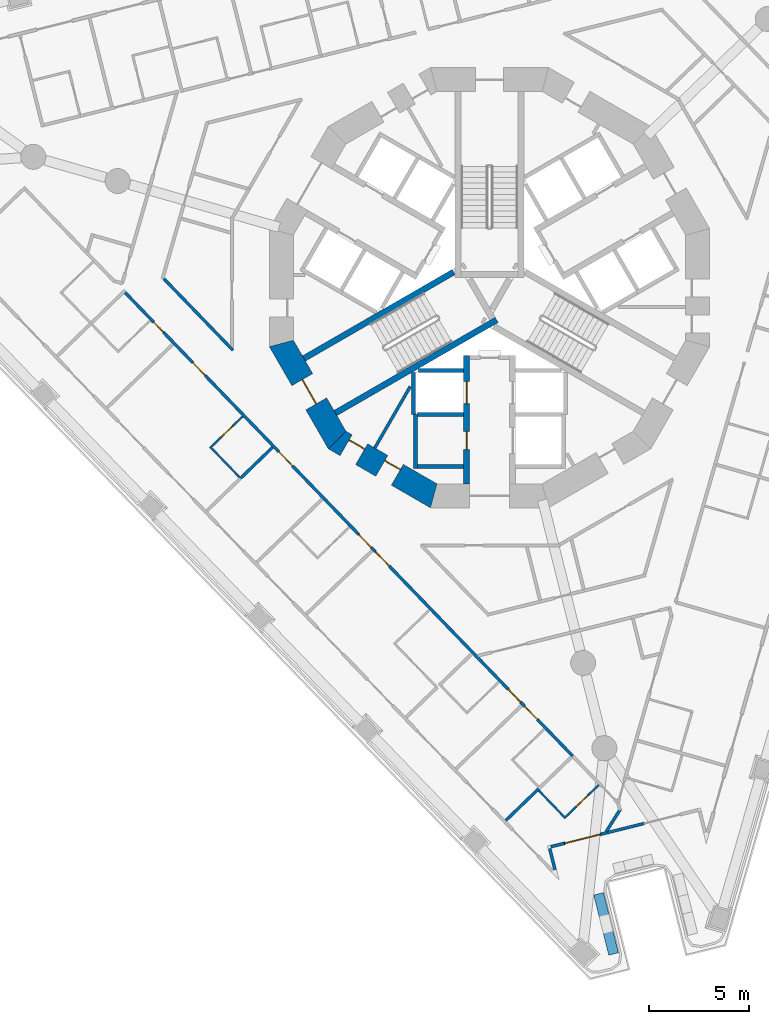
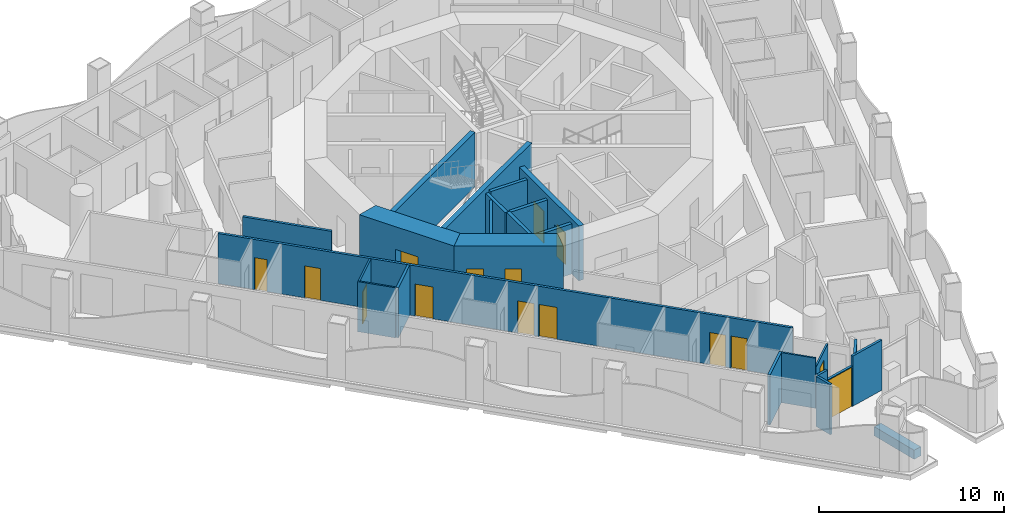
# One storey, part 3 of 20: 25 walls, 15 doors, 15 openings.
"""IFC4 building model written with IfcOpenShell, lengths in metres."""

from ifc_helpers import new_model, si_unit, direction, frame, frame_2d, origin, place, context, subcontext, project, spatial, polyline, rectangle, outline, extrude, material, layer, layer_set, type_object, element, fill, save


model = new_model("IFC4")

# Units and contexts
model_context = context("Model", 3, precision=1e-05, world=origin(), true_north=direction((0.0, 1.0)))
body_context = subcontext(model_context, "Body", "Model", "MODEL_VIEW")
ifc_project = project(units=[si_unit("LENGTHUNIT", "METRE"), si_unit("AREAUNIT", "SQUARE_METRE"), si_unit("VOLUMEUNIT", "CUBIC_METRE"), si_unit("PLANEANGLEUNIT", "RADIAN"), si_unit("MASSUNIT", "GRAM", prefix="KILO")], contexts=[model_context])

# Site, building, storey
site_placement = place(None, origin())
site = spatial("IfcSite", under=ifc_project, at=site_placement, CompositionType="ELEMENT")
building_placement = place(site_placement, origin())
building = spatial("IfcBuilding", under=site, at=building_placement, Name="Trine Commons Tower", CompositionType="ELEMENT")
storey_placement = place(building_placement, frame((0.0, 0.0, 112.5)))
storey = spatial("IfcBuildingStorey", under=building, at=storey_placement, Name="L28", CompositionType="ELEMENT", Elevation=112.5)

# Walls
ifc_material_1 = material(Name="Plasterboard partition on steel studs", Category="steel")
ifc_layer_1 = layer(ifc_material_1, 0.14990234375)
ifc_layer_set_1 = layer_set([ifc_layer_1], Name="Plasterboard partition on steel studs")
wall_type_1 = type_object("IfcWallType", Name="Core room partition 150 mm, EI 60", PredefinedType="PARTITIONING", material=ifc_layer_set_1)
wall_1_placement = place(storey_placement, frame((74.260986328125, 54.48388671875, 0.0), z_axis=(0.0, 0.0, 1.0), x_axis=(0.500062019353, 0.865989593933, 0.0)))
element("IfcWall", 1, at=wall_1_placement, inside=storey, type_object=wall_type_1, Name="Core room partition L28", PredefinedType="PARTITIONING", context=body_context, shape_type="SweptSolid", body=[
    extrude(rectangle(XDim=3.54736328125, YDim=0.14990234375, at=frame_2d((1.773681640625, 0.0))), origin(), (0.0, 0.0, 1.0), 3.300048828125),
])
ifc_material_2 = material(Name="Aluminium-framed insulated wall panel", Category="aluminium")
ifc_layer_2 = layer(ifc_material_2, 0.14990234375)
ifc_layer_set_2 = layer_set([ifc_layer_2], Name="Aluminium-framed insulated wall panel")
wall_type_2 = type_object("IfcWallType", Name="Glazed frame wall 150, EI 60", PredefinedType="SOLIDWALL", material=ifc_layer_set_2)
wall_2_placement = place(storey_placement, frame((87.71337890625, 35.697021484375, 0.0), z_axis=(0.0, 0.0, 1.0), x_axis=(-0.970298957625, -0.241908934998, 0.0)))
element("IfcWall", 2, at=wall_2_placement, inside=storey, type_object=wall_type_2, Name="Glazed frame wall P3.3", PredefinedType="SOLIDWALL", context=body_context, shape_type="SweptSolid", body=[
    extrude(outline(polyline([(0.0, -0.074951171875), (2.199951171875, -0.074951171875), (2.199951171875, 0.074951171875), (0.0, 0.074951171875), (0.0, -0.074951171875)])), origin(), (0.0, 0.0, 1.0), 3.300048828125),
])

# Wall, opening, door
wall_3_placement = place(storey_placement, frame((85.57861328125, 35.164794921875, 0.0), z_axis=(0.0, 0.0, 1.0), x_axis=(-0.970285945114, -0.241961122321, 0.0)))
wall_3 = element("IfcWall", 3, at=wall_3_placement, inside=storey, type_object=wall_type_2, Name="Glazed frame wall P3.4", PredefinedType="SOLIDWALL", context=body_context, shape_type="SweptSolid", body=[
    extrude(outline(polyline([(0.0, -0.074951171875), (1.89990234375, -0.074951171875), (1.89990234375, 0.074951171875), (0.0, 0.074951171875), (0.0, -0.074951171875)])), origin(), (0.0, 0.0, 1.0), 2.64990234375),
])
opening_1_placement = place(wall_3_placement, frame((0.050048828125, 0.0, 0.0)))
opening_1 = element("IfcOpeningElement", 4, at=opening_1_placement, cuts=wall_3, Name="Opening BD-3P3-02", PredefinedType="OPENING", context=body_context, shape_type="SweptSolid", body=[
    extrude(rectangle(XDim=1.800048828125, YDim=2.60009765625, at=frame_2d((0.89990234375, 1.300048828125))), frame((0.0, 0.0849609375, 0.0), z_axis=(0.0, -1.0, 0.0), x_axis=(1.0, 0.0, 0.0)), (0.0, 0.0, 1.0), 0.169921875),
])
ifc_material_3 = material(Name="Anodised aluminium frame with double glazing", Category="aluminium")
door_type_1 = type_object("IfcDoorType", Name="Sliding loggia door 1800x2600", OperationType="SLIDING_TO_LEFT", PredefinedType="DOOR", material=ifc_material_3)
door_1_placement = place(opening_1_placement, origin())
door_1 = element("IfcDoor", 5, at=door_1_placement, inside=storey, type_object=door_type_1, Name="Loggia door P3 2", OperationType="SLIDING_TO_LEFT", OverallHeight=2.60009765625, OverallWidth=1.800048828125, PredefinedType="DOOR", context=body_context, shape_type="SweptSolid", body=[
    extrude(rectangle(XDim=1.800048828125, YDim=2.60009765625, at=frame_2d((0.89990234375, 1.300048828125))), frame((0.0, 0.02490234375, 0.0), z_axis=(0.0, -1.0, 0.0), x_axis=(1.0, 0.0, 0.0)), (0.0, 0.0, 1.0), 0.050048828125),
])
fill(opening_1, door_1)

# Walls
wall_4_placement = place(storey_placement, frame((83.735107421875, 34.705078125, 0.0), z_axis=(0.0, 0.0, 1.0), x_axis=(-0.970339682992, -0.241745526559, 0.0)))
element("IfcWall", 6, at=wall_4_placement, inside=storey, type_object=wall_type_2, Name="Glazed frame wall P3.5", PredefinedType="SOLIDWALL", context=body_context, shape_type="SweptSolid", body=[
    extrude(outline(polyline([(0.68994140625, 0.074951171875), (0.0, 0.074951171875), (0.0, -0.074951171875), (0.68994140625, -0.074951171875), (0.68994140625, 0.074951171875)])), origin(), (0.0, 0.0, 1.0), 3.300048828125),
])
wall_5_placement = place(storey_placement, frame((82.984375, 34.553955078125, 0.0), z_axis=(0.0, 0.0, 1.0), x_axis=(0.241980315181, -0.970281158771, 0.0)))
element("IfcWall", 7, at=wall_5_placement, inside=storey, type_object=wall_type_2, Name="Glazed frame wall R11", PredefinedType="SOLIDWALL", context=body_context, shape_type="SweptSolid", body=[
    extrude(outline(polyline([(0.110107421875, 0.074951171875), (0.110107421875, -0.074951171875), (1.19580078125, -0.074951171875), (1.19580078125, 0.074951171875), (0.110107421875, 0.074951171875)])), origin(), (0.0, 0.0, 1.0), 3.300048828125),
])
ifc_material_4 = material(Name="Planter trough, precast concrete C40/50", Category="concrete")
ifc_layer_3 = layer(ifc_material_4, 0.5)
ifc_layer_set_3 = layer_set([ifc_layer_3], Name="Planter trough, precast concrete C40/50")
wall_type_3 = type_object("IfcWallType", Name="Planter trough 500x600", PredefinedType="PARAPET", material=ifc_layer_set_3)
wall_6_placement = place(storey_placement, frame((85.456787109375, 32.181640625, 0.0), z_axis=(0.0, 0.0, 1.0), x_axis=(0.2419425832, -0.970290568044, 0.0)))
element("IfcWall", 8, at=wall_6_placement, inside=storey, type_object=wall_type_3, Name="Planter 9", PredefinedType="PARAPET", context=body_context, shape_type="SweptSolid", body=[
    extrude(rectangle(XDim=3.099853515625, YDim=0.5, at=frame_2d((1.5498046875, 0.0))), origin(), (0.0, 0.0, 1.0), 0.60009765625),
])

# Wall, opening, door
ifc_material_5 = material(Name="Concrete C70/85", Category="concrete")
ifc_layer_4 = layer(ifc_material_5, 1.199951171875)
ifc_layer_set_4 = layer_set([ifc_layer_4], Name="Concrete C70/85")
wall_type_4 = type_object("IfcWallType", Name="RC shear wall 1200 mm, C70/85", PredefinedType="SHEAR", material=ifc_layer_set_4)
wall_7_placement = place(storey_placement, frame((69.508056640625, 59.849609375, 0.0), z_axis=(0.0, 0.0, 1.0), x_axis=(0.499979111662, -0.866037463336, 0.0)))
wall_7 = element("IfcWall", 9, at=wall_7_placement, inside=storey, type_object=wall_type_4, Name="Core wall CWC-08 L28", PredefinedType="SHEAR", context=body_context, shape_type="SweptSolid", body=[
    extrude(outline(polyline([(0.0, -0.60009765625), (5.901123046875, -0.60009765625), (5.57958984375, 0.60009765625), (0.321533203125, 0.60009765625), (0.0, -0.60009765625)])), origin(), (0.0, 0.0, 1.0), 3.60009765625),
])
opening_2_placement = place(wall_7_placement, frame((2.25048828125, 0.0, 0.0)))
opening_2 = element("IfcOpeningElement", 10, at=opening_2_placement, cuts=wall_7, Name="Opening K07.02", PredefinedType="OPENING", context=body_context, shape_type="SweptSolid", body=[
    extrude(rectangle(XDim=1.39990234375, YDim=2.10009765625, at=frame_2d((0.699951171875, 1.050048828125))), frame((0.0, 0.60986328125, 0.0), z_axis=(0.0, -1.0, 0.0), x_axis=(1.0, 0.0, 0.0)), (0.0, 0.0, 1.0), 1.219970703125),
])
ifc_material_6 = material(Name="Steel door leaves, fire-rated", Category="steel")
door_type_2 = type_object("IfcDoorType", Name="Stair door, double leaf 1400 x 2100, FD90", OperationType="DOUBLE_DOOR_SINGLE_SWING", PredefinedType="DOOR", material=ifc_material_6)
door_2_placement = place(opening_2_placement, origin())
door_2 = element("IfcDoor", 11, at=door_2_placement, inside=storey, type_object=door_type_2, Name="Stair door to Exit stair ST2A L28", OperationType="DOUBLE_DOOR_SINGLE_SWING", OverallHeight=2.10009765625, OverallWidth=1.39990234375, PredefinedType="DOOR", context=body_context, shape_type="SweptSolid", body=[
    extrude(rectangle(XDim=1.39990234375, YDim=2.10009765625, at=frame_2d((0.699951171875, 1.050048828125))), frame((0.0, 0.02490234375, 0.0), z_axis=(0.0, -1.0, 0.0), x_axis=(1.0, 0.0, 0.0)), (0.0, 0.0, 1.0), 0.050048828125),
])
fill(opening_2, door_2)

# Wall, openings, doors
wall_8_placement = place(storey_placement, frame((72.239013671875, 54.95849609375, 0.0), z_axis=(0.0, 0.0, 1.0), x_axis=(0.866037463336, -0.499979111662, 0.0)))
wall_8 = element("IfcWall", 12, at=wall_8_placement, inside=storey, type_object=wall_type_4, Name="Core wall CWC-09 L28", PredefinedType="SHEAR", context=body_context, shape_type="SweptSolid", body=[
    extrude(outline(polyline([(0.0, -0.60009765625), (5.901123046875, -0.60009765625), (5.57958984375, 0.60009765625), (0.321533203125, 0.60009765625), (0.0, -0.60009765625)])), origin(), (0.0, 0.0, 1.0), 3.60009765625),
])
opening_3_placement = place(wall_8_placement, frame((0.676513671875, 0.0, 0.0)))
opening_3 = element("IfcOpeningElement", 13, at=opening_3_placement, cuts=wall_8, Name="Opening K07.15", PredefinedType="OPENING", context=body_context, shape_type="SweptSolid", body=[
    extrude(rectangle(XDim=0.89990234375, YDim=2.10009765625, at=frame_2d((0.449951171875, 1.050048828125))), frame((0.0, 0.60986328125, 0.0), z_axis=(0.0, -1.0, 0.0), x_axis=(1.0, 0.0, 0.0)), (0.0, 0.0, 1.0), 1.219970703125),
])
opening_4_placement = place(wall_8_placement, frame((2.738525390625, 0.0, 0.0)))
opening_4 = element("IfcOpeningElement", 14, at=opening_4_placement, cuts=wall_8, Name="Opening K07.16", PredefinedType="OPENING", context=body_context, shape_type="SweptSolid", body=[
    extrude(rectangle(XDim=0.89990234375, YDim=2.10009765625, at=frame_2d((0.449951171875, 1.050048828125))), frame((0.0, 0.60986328125, 0.0), z_axis=(0.0, -1.0, 0.0), x_axis=(1.0, 0.0, 0.0)), (0.0, 0.0, 1.0), 1.219970703125),
])
ifc_material_7 = material(Name="Steel door leaf, fire-rated", Category="steel")
door_type_3 = type_object("IfcDoorType", Name="Core room door, single leaf 900 x 2100, FD30S", OperationType="SINGLE_SWING_LEFT", PredefinedType="DOOR", material=ifc_material_7)
door_3_placement = place(opening_3_placement, origin())
door_3 = element("IfcDoor", 15, at=door_3_placement, inside=storey, type_object=door_type_3, Name="Door to Cleaner's store L28", OperationType="SINGLE_SWING_LEFT", OverallHeight=2.10009765625, OverallWidth=0.89990234375, PredefinedType="DOOR", context=body_context, shape_type="SweptSolid", body=[
    extrude(rectangle(XDim=0.89990234375, YDim=2.10009765625, at=frame_2d((0.449951171875, 1.050048828125))), frame((0.0, 0.3251953125, 0.0), z_axis=(0.0, -1.0, 0.0), x_axis=(1.0, 0.0, 0.0)), (0.0, 0.0, 1.0), 0.050048828125),
])
fill(opening_3, door_3)
door_4_placement = place(opening_4_placement, origin())
door_4 = element("IfcDoor", 16, at=door_4_placement, inside=storey, type_object=door_type_3, Name="Door to Accessible WC L28", OperationType="SINGLE_SWING_RIGHT", OverallHeight=2.10009765625, OverallWidth=0.89990234375, PredefinedType="DOOR", context=body_context, shape_type="SweptSolid", body=[
    extrude(rectangle(XDim=0.89990234375, YDim=2.10009765625, at=frame_2d((0.449951171875, 1.050048828125))), frame((0.0, 0.3251953125, 0.0), z_axis=(0.0, -1.0, 0.0), x_axis=(1.0, 0.0, 0.0)), (0.0, 0.0, 1.0), 0.050048828125),
])
fill(opening_4, door_4)

ifc_layer_5 = layer(ifc_material_5, 0.300048828125)
ifc_layer_set_5 = layer_set([ifc_layer_5], Name="Concrete C70/85")
wall_type_5 = type_object("IfcWallType", Name="RC shear wall 300 mm, C70/85", PredefinedType="SHEAR", material=ifc_layer_set_5)
wall_9_placement = place(storey_placement, frame((78.85009765625, 59.10009765625, 0.0), z_axis=(0.0, 0.0, 1.0), x_axis=(0.0, -1.0, 0.0)))
wall_9 = element("IfcWall", 17, at=wall_9_placement, inside=storey, type_object=wall_type_5, Name="Core cross wall SWA-03 L28", PredefinedType="SHEAR", context=body_context, shape_type="SweptSolid", body=[
    extrude(rectangle(XDim=6.412109375, YDim=0.300048828125, at=frame_2d((3.2060546875, 0.0))), origin(), (0.0, 0.0, 1.0), 3.60009765625),
])
opening_5_placement = place(wall_9_placement, frame((3.800048828125, 0.0, 0.0)))
opening_5 = element("IfcOpeningElement", 18, at=opening_5_placement, cuts=wall_9, Name="Opening K07.10", PredefinedType="OPENING", context=body_context, shape_type="SweptSolid", body=[
    extrude(rectangle(XDim=0.89990234375, YDim=2.10009765625, at=frame_2d((0.449951171875, 1.050048828125))), frame((0.0, 0.159912109375, 0.0), z_axis=(0.0, -1.0, 0.0), x_axis=(1.0, 0.0, 0.0)), (0.0, 0.0, 1.0), 0.320068359375),
])
opening_6_placement = place(wall_9_placement, frame((1.300048828125, 0.0, 0.0)))
opening_6 = element("IfcOpeningElement", 19, at=opening_6_placement, cuts=wall_9, Name="Opening LD10", PredefinedType="OPENING", context=body_context, shape_type="SweptSolid", body=[
    extrude(rectangle(XDim=1.10009765625, YDim=2.10009765625, at=frame_2d((0.550048828125, 1.050048828125))), frame((0.0, 0.159912109375, 0.0), z_axis=(0.0, -1.0, 0.0), x_axis=(1.0, 0.0, 0.0)), (0.0, 0.0, 1.0), 0.320068359375),
])
door_5_placement = place(opening_5_placement, frame((0.89990234375, 0.0, 0.0), z_axis=(0.0, 0.0, 1.0), x_axis=(-1.0, 0.0, 0.0)))
door_5 = element("IfcDoor", 20, at=door_5_placement, inside=storey, type_object=door_type_3, Name="Door to Pantry L28", OperationType="SINGLE_SWING_RIGHT", OverallHeight=2.10009765625, OverallWidth=0.89990234375, PredefinedType="DOOR", context=body_context, shape_type="SweptSolid", body=[
    extrude(rectangle(XDim=0.89990234375, YDim=2.10009765625, at=frame_2d((0.449951171875, 1.050048828125))), frame((0.0, 0.02490234375, 0.0), z_axis=(0.0, -1.0, 0.0), x_axis=(1.0, 0.0, 0.0)), (0.0, 0.0, 1.0), 0.050048828125),
])
fill(opening_5, door_5)
ifc_material_8 = material(Name="Stainless steel sliding door leaves", Category="steel")
door_type_4 = type_object("IfcDoorType", Name="Lift landing door, centre-opening sliding 1100 x 2100, FD90", OperationType="DOUBLE_DOOR_SLIDING", PredefinedType="DOOR", material=ifc_material_8)
door_6_placement = place(opening_6_placement, origin())
door_6 = element("IfcDoor", 21, at=door_6_placement, inside=storey, type_object=door_type_4, Name="Lift landing door FF2 L28", OperationType="DOUBLE_DOOR_SLIDING", OverallHeight=2.10009765625, OverallWidth=1.10009765625, PredefinedType="DOOR", context=body_context, shape_type="SweptSolid", body=[
    extrude(rectangle(XDim=1.10009765625, YDim=2.10009765625, at=frame_2d((0.550048828125, 1.050048828125))), frame((0.0, 0.02490234375, 0.0), z_axis=(0.0, -1.0, 0.0), x_axis=(1.0, 0.0, 0.0)), (0.0, 0.0, 1.0), 0.050048828125),
])
fill(opening_6, door_6)

# Walls
wall_10_placement = place(storey_placement, frame((78.199951171875, 63.280029296875, 0.0), z_axis=(0.0, 0.0, 1.0), x_axis=(-0.865965399159, -0.500103916661, 0.0)))
element("IfcWall", 22, at=wall_10_placement, inside=storey, type_object=wall_type_5, Name="Core cross wall SWA-07 L28", PredefinedType="SHEAR", context=body_context, shape_type="SweptSolid", body=[
    extrude(rectangle(XDim=8.642333984375, YDim=0.300048828125, at=frame_2d((4.3212890625, 0.0))), origin(), (0.0, 0.0, 1.0), 3.60009765625),
])
wall_11_placement = place(storey_placement, frame((80.35400390625, 60.885986328125, 0.0), z_axis=(0.0, 0.0, 1.0), x_axis=(-0.865986456211, -0.50006745311, 0.0)))
element("IfcWall", 23, at=wall_11_placement, inside=storey, type_object=wall_type_5, Name="Core cross wall SWA-14 L28", PredefinedType="SHEAR", context=body_context, shape_type="SweptSolid", body=[
    extrude(rectangle(XDim=9.310791015625, YDim=0.300048828125, at=frame_2d((4.6552734375, 0.0))), origin(), (0.0, 0.0, 1.0), 3.60009765625),
])
ifc_material_9 = material(Name="Fire-rated gypsum shaft wall system")
ifc_layer_6 = layer(ifc_material_9, 0.199951171875)
ifc_layer_set_6 = layer_set([ifc_layer_6], Name="Fire-rated gypsum shaft wall system")
wall_type_6 = type_object("IfcWallType", Name="Shaft wall 200 mm, EI 120", PredefinedType="PARTITIONING", material=ifc_layer_set_6)
wall_12_placement = place(storey_placement, frame((76.199951171875, 58.256103515625, 0.0), z_axis=(0.0, 0.0, 1.0), x_axis=(0.0, -1.0, 0.0)))
element("IfcWall", 24, at=wall_12_placement, inside=storey, type_object=wall_type_6, Name="Shaft wall L28", PredefinedType="PARTITIONING", context=body_context, shape_type="SweptSolid", body=[
    extrude(rectangle(XDim=2.106201171875, YDim=0.199951171875, at=frame_2d((1.05322265625, 0.0))), origin(), (0.0, 0.0, 1.0), 3.300048828125),
])
wall_13_placement = place(storey_placement, frame((76.300048828125, 56.14990234375, 0.0), z_axis=(0.0, 0.0, 1.0), x_axis=(0.0, -1.0, 0.0)))
element("IfcWall", 25, at=wall_13_placement, inside=storey, type_object=wall_type_6, Name="Shaft wall L28", PredefinedType="PARTITIONING", context=body_context, shape_type="SweptSolid", body=[
    extrude(rectangle(XDim=2.699951171875, YDim=0.199951171875, at=frame_2d((1.35009765625, 0.0))), origin(), (0.0, 0.0, 1.0), 3.300048828125),
])
for number, where, z_axis, x_axis, name in (
    (26, (78.699951171875, 53.550048828125, 0.0), (0.0, 0.0, 1.0), (-1.0, 0.0, 0.0), "Shaft wall L28"),
    (27, (78.699951171875, 56.14990234375, 0.0), (0.0, 0.0, 1.0), (-1.0, 0.0, 0.0), "Shaft wall L28"),
):
    element("IfcWall", number, at=place(storey_placement, frame(where, z_axis=z_axis, x_axis=x_axis)), inside=storey, type_object=wall_type_6, Name=name, PredefinedType="PARTITIONING", context=body_context, shape_type="SweptSolid", body=[
        extrude(rectangle(XDim=2.300048828125, YDim=0.199951171875, at=frame_2d((1.14990234375, 0.0))), origin(), (0.0, 0.0, 1.0), 3.300048828125),
    ])
wall_14_placement = place(storey_placement, frame((78.699951171875, 58.35009765625, 0.0), z_axis=(0.0, 0.0, 1.0), x_axis=(-1.0, 0.0, 0.0)))
element("IfcWall", 28, at=wall_14_placement, inside=storey, type_object=wall_type_6, Name="Shaft wall L28", PredefinedType="PARTITIONING", context=body_context, shape_type="SweptSolid", body=[
    extrude(rectangle(XDim=2.264892578125, YDim=0.199951171875, at=frame_2d((1.13232421875, 0.0))), origin(), (0.0, 0.0, 1.0), 3.300048828125),
])

# Wall, openings, doors
ifc_material_10 = material(Name="Gypsum plasterboard on steel stud", Category="steel")
ifc_layer_7 = layer(ifc_material_10, 0.14990234375)
ifc_layer_set_7 = layer_set([ifc_layer_7], Name="Gypsum plasterboard on steel stud")
wall_type_7 = type_object("IfcWallType", Name="Unit and corridor wall 150 mm, EI 60", PredefinedType="PARTITIONING", material=ifc_layer_set_7)
wall_15_placement = place(storey_placement, frame((61.772216796875, 62.257080078125, 0.0), z_axis=(0.0, 0.0, 1.0), x_axis=(0.694641026806, -0.719356548506, 0.0)))
wall_15 = element("IfcWall", 29, at=wall_15_placement, inside=storey, type_object=wall_type_7, Name="Partition 018", PredefinedType="PARTITIONING", context=body_context, shape_type="SweptSolid", body=[
    extrude(rectangle(XDim=32.22216796875, YDim=0.14990234375, at=frame_2d((16.111083984375, 0.0))), origin(), (0.0, 0.0, 1.0), 3.300048828125),
])
opening_7_placement = place(wall_15_placement, frame((28.784423828125, 0.0, 0.0)))
opening_7 = element("IfcOpeningElement", 30, at=opening_7_placement, cuts=wall_15, Name="Opening D-3C26", PredefinedType="OPENING", context=body_context, shape_type="SweptSolid", body=[
    extrude(rectangle(XDim=0.89990234375, YDim=2.10009765625, at=frame_2d((0.449951171875, 1.050048828125))), frame((0.0, 0.0849609375, 0.0), z_axis=(0.0, -1.0, 0.0), x_axis=(1.0, 0.0, 0.0)), (0.0, 0.0, 1.0), 0.169921875),
])
opening_8_placement = place(wall_15_placement, frame((27.58447265625, 0.0, 0.0)))
opening_8 = element("IfcOpeningElement", 31, at=opening_8_placement, cuts=wall_15, Name="Opening D-3C27", PredefinedType="OPENING", context=body_context, shape_type="SweptSolid", body=[
    extrude(rectangle(XDim=0.89990234375, YDim=2.10009765625, at=frame_2d((0.449951171875, 1.050048828125))), frame((0.0, 0.0849609375, 0.0), z_axis=(0.0, -1.0, 0.0), x_axis=(1.0, 0.0, 0.0)), (0.0, 0.0, 1.0), 0.169921875),
])
opening_9_placement = place(wall_15_placement, frame((18.019287109375, 0.0, 0.0)))
opening_9 = element("IfcOpeningElement", 32, at=opening_9_placement, cuts=wall_15, Name="Opening D-3C28", PredefinedType="OPENING", context=body_context, shape_type="SweptSolid", body=[
    extrude(rectangle(XDim=1.0, YDim=2.10009765625, at=frame_2d((0.5, 1.050048828125))), frame((0.0, 0.0849609375, 0.0), z_axis=(0.0, -1.0, 0.0), x_axis=(1.0, 0.0, 0.0)), (0.0, 0.0, 1.0), 0.169921875),
])
opening_10_placement = place(wall_15_placement, frame((16.819091796875, 0.0, 0.0)))
opening_10 = element("IfcOpeningElement", 33, at=opening_10_placement, cuts=wall_15, Name="Opening D-3C29", PredefinedType="OPENING", context=body_context, shape_type="SweptSolid", body=[
    extrude(rectangle(XDim=0.89990234375, YDim=2.10009765625, at=frame_2d((0.449951171875, 1.050048828125))), frame((0.0, 0.0849609375, 0.0), z_axis=(0.0, -1.0, 0.0), x_axis=(1.0, 0.0, 0.0)), (0.0, 0.0, 1.0), 0.169921875),
])
opening_11_placement = place(wall_15_placement, frame((11.05810546875, 0.0, 0.0)))
opening_11 = element("IfcOpeningElement", 34, at=opening_11_placement, cuts=wall_15, Name="Opening D-3C30", PredefinedType="OPENING", context=body_context, shape_type="SweptSolid", body=[
    extrude(rectangle(XDim=1.0, YDim=2.10009765625, at=frame_2d((0.5, 1.050048828125))), frame((0.0, 0.0849609375, 0.0), z_axis=(0.0, -1.0, 0.0), x_axis=(1.0, 0.0, 0.0)), (0.0, 0.0, 1.0), 0.169921875),
])
opening_12_placement = place(wall_15_placement, frame((4.864990234375, 0.0, 0.0)))
opening_12 = element("IfcOpeningElement", 35, at=opening_12_placement, cuts=wall_15, Name="Opening D-3C31", PredefinedType="OPENING", context=body_context, shape_type="SweptSolid", body=[
    extrude(rectangle(XDim=0.89990234375, YDim=2.10009765625, at=frame_2d((0.449951171875, 1.050048828125))), frame((0.0, 0.0849609375, 0.0), z_axis=(0.0, -1.0, 0.0), x_axis=(1.0, 0.0, 0.0)), (0.0, 0.0, 1.0), 0.169921875),
])
opening_13_placement = place(wall_15_placement, frame((2.056396484375, 0.0, 0.0)))
opening_13 = element("IfcOpeningElement", 36, at=opening_13_placement, cuts=wall_15, Name="Opening D-3C32", PredefinedType="OPENING", context=body_context, shape_type="SweptSolid", body=[
    extrude(rectangle(XDim=0.699951171875, YDim=2.10009765625, at=frame_2d((0.35009765625, 1.050048828125))), frame((0.0, 0.0849609375, 0.0), z_axis=(0.0, -1.0, 0.0), x_axis=(1.0, 0.0, 0.0)), (0.0, 0.0, 1.0), 0.169921875),
])
ifc_material_11 = material(Name="Timber fire door set", Category="wood")
door_type_5 = type_object("IfcDoorType", Name="Bedroom door 1000 x 2100, FD30S", OperationType="NOTDEFINED", PredefinedType="DOOR", material=ifc_material_11)
door_7_placement = place(opening_9_placement, frame((1.0, 0.0, 0.0), z_axis=(0.0, 0.0, 1.0), x_axis=(-1.0, 0.0, 0.0)))
door_7 = element("IfcDoor", 37, at=door_7_placement, inside=storey, type_object=door_type_5, Name="Door D-3C28", OperationType="SINGLE_SWING_LEFT", OverallHeight=2.10009765625, OverallWidth=1.0, PredefinedType="DOOR", context=body_context, shape_type="SweptSolid", body=[
    extrude(rectangle(XDim=1.0, YDim=2.10009765625, at=frame_2d((0.5, 1.050048828125))), frame((0.0, 0.02490234375, 0.0), z_axis=(0.0, -1.0, 0.0), x_axis=(1.0, 0.0, 0.0)), (0.0, 0.0, 1.0), 0.050048828125),
])
fill(opening_9, door_7)
door_type_6 = type_object("IfcDoorType", Name="Bedroom door 700 x 2100, FD30S", OperationType="NOTDEFINED", PredefinedType="DOOR", material=ifc_material_11)
door_8_placement = place(opening_13_placement, frame((0.699951171875, 0.0, 0.0), z_axis=(0.0, 0.0, 1.0), x_axis=(-1.0, 0.0, 0.0)))
door_8 = element("IfcDoor", 38, at=door_8_placement, inside=storey, type_object=door_type_6, Name="Door D-3C32", OperationType="SINGLE_SWING_RIGHT", OverallHeight=2.10009765625, OverallWidth=0.699951171875, PredefinedType="DOOR", context=body_context, shape_type="SweptSolid", body=[
    extrude(rectangle(XDim=0.699951171875, YDim=2.10009765625, at=frame_2d((0.35009765625, 1.050048828125))), frame((0.0, 0.02490234375, 0.0), z_axis=(0.0, -1.0, 0.0), x_axis=(1.0, 0.0, 0.0)), (0.0, 0.0, 1.0), 0.050048828125),
])
fill(opening_13, door_8)
door_type_7 = type_object("IfcDoorType", Name="Bedroom door 900 x 2100, FD30S", OperationType="NOTDEFINED", PredefinedType="DOOR", material=ifc_material_11)
door_9_placement = place(opening_7_placement, frame((0.89990234375, 0.0, 0.0), z_axis=(0.0, 0.0, 1.0), x_axis=(-1.0, 0.0, 0.0)))
door_9 = element("IfcDoor", 39, at=door_9_placement, inside=storey, type_object=door_type_7, Name="Door D-3C26", OperationType="SINGLE_SWING_LEFT", OverallHeight=2.10009765625, OverallWidth=0.89990234375, PredefinedType="DOOR", context=body_context, shape_type="SweptSolid", body=[
    extrude(rectangle(XDim=0.89990234375, YDim=2.10009765625, at=frame_2d((0.449951171875, 1.050048828125))), frame((0.0, 0.02490234375, 0.0), z_axis=(0.0, -1.0, 0.0), x_axis=(1.0, 0.0, 0.0)), (0.0, 0.0, 1.0), 0.050048828125),
])
fill(opening_7, door_9)
door_10_placement = place(opening_8_placement, frame((0.89990234375, 0.0, 0.0), z_axis=(0.0, 0.0, 1.0), x_axis=(-1.0, 0.0, 0.0)))
door_10 = element("IfcDoor", 40, at=door_10_placement, inside=storey, type_object=door_type_7, Name="Door D-3C27", OperationType="SINGLE_SWING_LEFT", OverallHeight=2.10009765625, OverallWidth=0.89990234375, PredefinedType="DOOR", context=body_context, shape_type="SweptSolid", body=[
    extrude(rectangle(XDim=0.89990234375, YDim=2.10009765625, at=frame_2d((0.449951171875, 1.050048828125))), frame((0.0, 0.02490234375, 0.0), z_axis=(0.0, -1.0, 0.0), x_axis=(1.0, 0.0, 0.0)), (0.0, 0.0, 1.0), 0.050048828125),
])
fill(opening_8, door_10)
door_11_placement = place(opening_10_placement, frame((0.89990234375, 0.0, 0.0), z_axis=(0.0, 0.0, 1.0), x_axis=(-1.0, 0.0, 0.0)))
door_11 = element("IfcDoor", 41, at=door_11_placement, inside=storey, type_object=door_type_7, Name="Door D-3C29", OperationType="SINGLE_SWING_LEFT", OverallHeight=2.10009765625, OverallWidth=0.89990234375, PredefinedType="DOOR", context=body_context, shape_type="SweptSolid", body=[
    extrude(rectangle(XDim=0.89990234375, YDim=2.10009765625, at=frame_2d((0.449951171875, 1.050048828125))), frame((0.0, 0.02490234375, 0.0), z_axis=(0.0, -1.0, 0.0), x_axis=(1.0, 0.0, 0.0)), (0.0, 0.0, 1.0), 0.050048828125),
])
fill(opening_10, door_11)
door_12_placement = place(opening_12_placement, frame((0.89990234375, 0.0, 0.0), z_axis=(0.0, 0.0, 1.0), x_axis=(-1.0, 0.0, 0.0)))
door_12 = element("IfcDoor", 42, at=door_12_placement, inside=storey, type_object=door_type_7, Name="Door D-3C31", OperationType="SINGLE_SWING_RIGHT", OverallHeight=2.10009765625, OverallWidth=0.89990234375, PredefinedType="DOOR", context=body_context, shape_type="SweptSolid", body=[
    extrude(rectangle(XDim=0.89990234375, YDim=2.10009765625, at=frame_2d((0.449951171875, 1.050048828125))), frame((0.0, 0.02490234375, 0.0), z_axis=(0.0, -1.0, 0.0), x_axis=(1.0, 0.0, 0.0)), (0.0, 0.0, 1.0), 0.050048828125),
])
fill(opening_12, door_12)
ifc_material_12 = material(Name="Painted timber", Category="wood")
door_type_8 = type_object("IfcDoorType", Name="Toilet door 1000 x 2100, NOT RATED", OperationType="NOTDEFINED", PredefinedType="DOOR", material=ifc_material_12)
door_13_placement = place(opening_11_placement, frame((1.0, 0.0, 0.0), z_axis=(0.0, 0.0, 1.0), x_axis=(-1.0, 0.0, 0.0)))
door_13 = element("IfcDoor", 43, at=door_13_placement, inside=storey, type_object=door_type_8, Name="Door D-3C30", OperationType="SINGLE_SWING_RIGHT", OverallHeight=2.10009765625, OverallWidth=1.0, PredefinedType="DOOR", context=body_context, shape_type="SweptSolid", body=[
    extrude(rectangle(XDim=1.0, YDim=2.10009765625, at=frame_2d((0.5, 1.050048828125))), frame((0.0, 0.02490234375, 0.0), z_axis=(0.0, -1.0, 0.0), x_axis=(1.0, 0.0, 0.0)), (0.0, 0.0, 1.0), 0.050048828125),
])
fill(opening_11, door_13)

# Walls
wall_16_placement = place(storey_placement, frame((63.710205078125, 62.948974609375, 0.0), z_axis=(0.0, 0.0, 1.0), x_axis=(0.694628677397, -0.719368473411, 0.0)))
element("IfcWall", 44, at=wall_16_placement, inside=storey, type_object=wall_type_7, Name="Partition 024", PredefinedType="PARTITIONING", context=body_context, shape_type="SweptSolid", body=[
    extrude(rectangle(XDim=4.9736328125, YDim=0.14990234375, at=frame_2d((2.48681640625, 0.0))), origin(), (0.0, 0.0, 1.0), 3.300048828125),
])
wall_17_placement = place(storey_placement, frame((67.54296875, 52.964111328125, 0.0), z_axis=(0.0, 0.0, 1.0), x_axis=(0.719159849229, 0.694844666998, 0.0)))
element("IfcWall", 45, at=wall_17_placement, inside=storey, type_object=wall_type_7, Name="Partition 039", PredefinedType="PARTITIONING", context=body_context, shape_type="SweptSolid", body=[
    extrude(rectangle(XDim=2.22900390625, YDim=0.14990234375, at=frame_2d((1.114501953125, 0.0))), origin(), (0.0, 0.0, 1.0), 3.300048828125),
])
wall_18_placement = place(storey_placement, frame((80.811767578125, 35.849853515625, 0.0), z_axis=(0.0, 0.0, 1.0), x_axis=(0.719587956046, 0.694401305812, 0.0)))
element("IfcWall", 46, at=wall_18_placement, inside=storey, type_object=wall_type_7, Name="Partition 071", PredefinedType="PARTITIONING", context=body_context, shape_type="SweptSolid", body=[
    extrude(rectangle(XDim=2.27783203125, YDim=0.14990234375, at=frame_2d((1.138916015625, 0.0))), origin(), (0.0, 0.0, 1.0), 3.300048828125),
])
wall_19_placement = place(storey_placement, frame((85.83447265625, 35.290771484375, 0.0), z_axis=(0.0, 0.0, 1.0), x_axis=(0.533700369754, 0.845673645873, 0.0)))
element("IfcWall", 47, at=wall_19_placement, inside=storey, type_object=wall_type_7, Name="Partition 092", PredefinedType="PARTITIONING", context=body_context, shape_type="SweptSolid", body=[
    extrude(rectangle(XDim=1.349853515625, YDim=0.14990234375, at=frame_2d((0.6748046875, 0.0))), origin(), (0.0, 0.0, 1.0), 3.300048828125),
])
ifc_layer_8 = layer(ifc_material_10, 0.10009765625)
ifc_layer_set_8 = layer_set([ifc_layer_8], Name="Gypsum plasterboard on steel stud")
wall_type_8 = type_object("IfcWallType", Name="Unit partition 100 mm, no rating", PredefinedType="PARTITIONING", material=ifc_layer_set_8)
wall_20_placement = place(storey_placement, frame((66.017333984375, 54.550048828125, 0.0), z_axis=(0.0, 0.0, 1.0), x_axis=(0.694414056616, -0.719575651321, 0.0)))
element("IfcWall", 48, at=wall_20_placement, inside=storey, type_object=wall_type_8, Name="Partition 032", PredefinedType="PARTITIONING", context=body_context, shape_type="SweptSolid", body=[
    extrude(rectangle(XDim=2.125, YDim=0.10009765625, at=frame_2d((1.0625, 0.0))), origin(), (0.0, 0.0, 1.0), 3.300048828125),
])

# Wall, opening, door
wall_21_placement = place(storey_placement, frame((66.087890625, 54.548583984375, 0.0), z_axis=(0.0, 0.0, 1.0), x_axis=(0.719405330095, 0.694590506004, 0.0)))
wall_21 = element("IfcWall", 49, at=wall_21_placement, inside=storey, type_object=wall_type_8, Name="Partition 033", PredefinedType="PARTITIONING", context=body_context, shape_type="SweptSolid", body=[
    extrude(rectangle(XDim=2.17431640625, YDim=0.10009765625, at=frame_2d((1.087158203125, 0.0))), origin(), (0.0, 0.0, 1.0), 3.300048828125),
])
opening_14_placement = place(wall_21_placement, frame((0.68701171875, 0.0, 0.0)))
opening_14 = element("IfcOpeningElement", 50, at=opening_14_placement, cuts=wall_21, Name="Opening D-3C65", PredefinedType="OPENING", context=body_context, shape_type="SweptSolid", body=[
    extrude(rectangle(XDim=0.800048828125, YDim=2.10009765625, at=frame_2d((0.39990234375, 1.050048828125))), frame((0.0, 0.06005859375, 0.0), z_axis=(0.0, -1.0, 0.0), x_axis=(1.0, 0.0, 0.0)), (0.0, 0.0, 1.0), 0.1201171875),
])
door_type_9 = type_object("IfcDoorType", Name="Internal door 800 x 2100, NOT RATED", OperationType="NOTDEFINED", PredefinedType="DOOR", material=ifc_material_12)
door_14_placement = place(opening_14_placement, origin())
door_14 = element("IfcDoor", 51, at=door_14_placement, inside=storey, type_object=door_type_9, Name="Door D-3C65", OperationType="SINGLE_SWING_LEFT", OverallHeight=2.10009765625, OverallWidth=0.800048828125, PredefinedType="DOOR", context=body_context, shape_type="SweptSolid", body=[
    extrude(rectangle(XDim=0.800048828125, YDim=2.10009765625, at=frame_2d((0.39990234375, 1.050048828125))), frame((0.0, 0.02490234375, 0.0), z_axis=(0.0, -1.0, 0.0), x_axis=(1.0, 0.0, 0.0)), (0.0, 0.0, 1.0), 0.050048828125),
])
fill(opening_14, door_14)

# Wall
wall_22_placement = place(storey_placement, frame((82.467041015625, 37.343017578125, 0.0), z_axis=(0.0, 0.0, 1.0), x_axis=(0.694438310909, -0.719552244345, 0.0)))
element("IfcWall", 52, at=wall_22_placement, inside=storey, type_object=wall_type_8, Name="Partition 078", PredefinedType="PARTITIONING", context=body_context, shape_type="SweptSolid", body=[
    extrude(rectangle(XDim=1.9248046875, YDim=0.10009765625, at=frame_2d((0.96240234375, 0.0))), origin(), (0.0, 0.0, 1.0), 3.300048828125),
])

# Wall, opening, door
wall_23_placement = place(storey_placement, frame((83.804931640625, 36.02880859375, 0.0), z_axis=(0.0, 0.0, 1.0), x_axis=(0.719443618251, 0.694550847784, 0.0)))
wall_23 = element("IfcWall", 53, at=wall_23_placement, inside=storey, type_object=wall_type_8, Name="Partition 083", PredefinedType="PARTITIONING", context=body_context, shape_type="SweptSolid", body=[
    extrude(rectangle(XDim=2.294921875, YDim=0.10009765625, at=frame_2d((1.1474609375, 0.0))), origin(), (0.0, 0.0, 1.0), 2.64990234375),
])
opening_15_placement = place(wall_23_placement, frame((0.74755859375, 0.0, 0.0)))
opening_15 = element("IfcOpeningElement", 54, at=opening_15_placement, cuts=wall_23, Name="Opening D-3C60", PredefinedType="OPENING", context=body_context, shape_type="SweptSolid", body=[
    extrude(rectangle(XDim=0.800048828125, YDim=2.10009765625, at=frame_2d((0.39990234375, 1.050048828125))), frame((0.0, 0.06005859375, 0.0), z_axis=(0.0, -1.0, 0.0), x_axis=(1.0, 0.0, 0.0)), (0.0, 0.0, 1.0), 0.1201171875),
])
door_15_placement = place(opening_15_placement, frame((0.800048828125, 0.0, 0.0), z_axis=(0.0, 0.0, 1.0), x_axis=(-1.0, 0.0, 0.0)))
door_15 = element("IfcDoor", 55, at=door_15_placement, inside=storey, type_object=door_type_9, Name="Door D-3C60", OperationType="SINGLE_SWING_RIGHT", OverallHeight=2.10009765625, OverallWidth=0.800048828125, PredefinedType="DOOR", context=body_context, shape_type="SweptSolid", body=[
    extrude(rectangle(XDim=0.800048828125, YDim=2.10009765625, at=frame_2d((0.39990234375, 1.050048828125))), frame((0.0, 0.02490234375, 0.0), z_axis=(0.0, -1.0, 0.0), x_axis=(1.0, 0.0, 0.0)), (0.0, 0.0, 1.0), 0.050048828125),
])
fill(opening_15, door_15)

save(model, "model.ifc")
